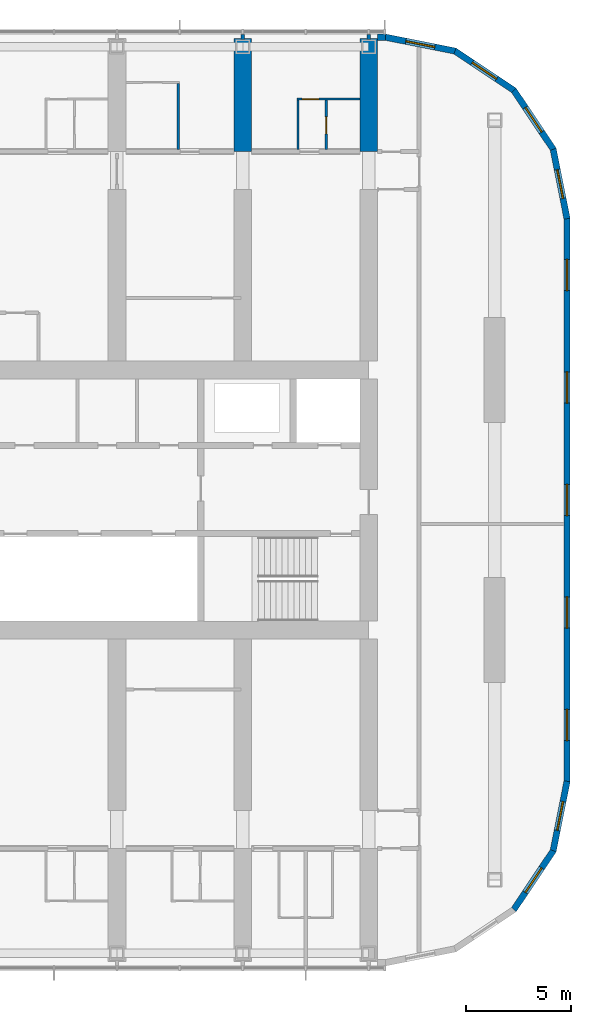
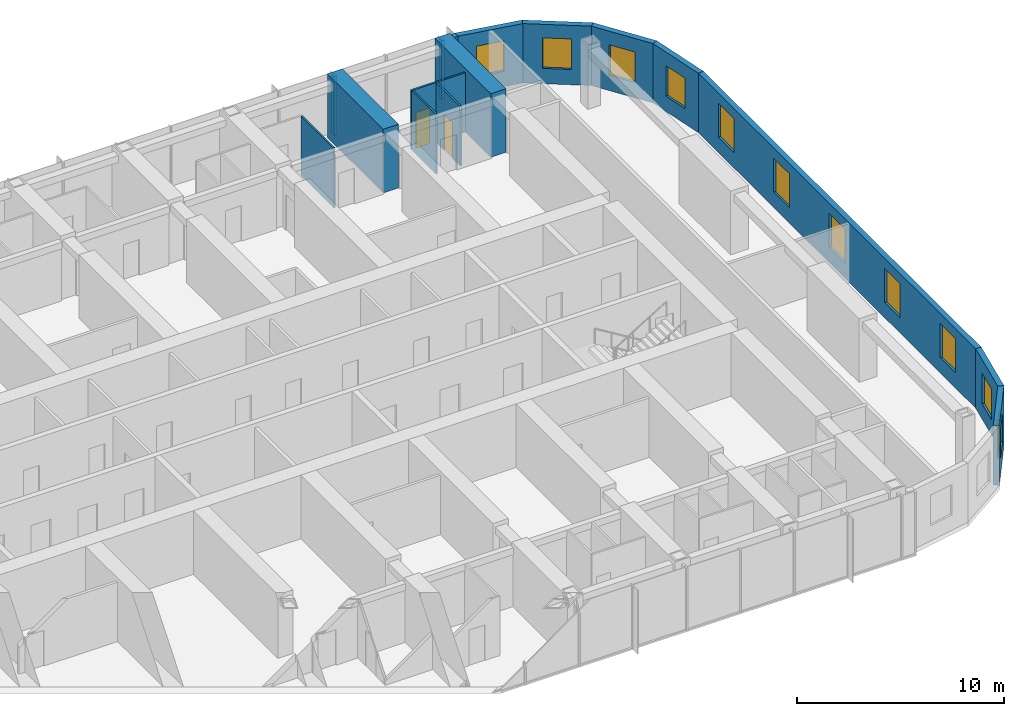
# One storey, part 17 of 22: 16 walls, 11 windows, 2 doors, 13 openings.
"""IFC4 building model written with IfcOpenShell, lengths in metres."""

from ifc_helpers import new_model, si_unit, direction, frame, frame_2d, origin, place, context, subcontext, project, spatial, polyline, rectangle, outline, extrude, material, layer, layer_set, type_object, element, fill, save


model = new_model("IFC4")

# Units and contexts
model_context = context("Model", 3, precision=1e-05, world=origin(), true_north=direction((0.0, 1.0)))
body_context = subcontext(model_context, "Body", "Model", "MODEL_VIEW")
ifc_project = project(units=[si_unit("LENGTHUNIT", "METRE"), si_unit("AREAUNIT", "SQUARE_METRE"), si_unit("VOLUMEUNIT", "CUBIC_METRE"), si_unit("PLANEANGLEUNIT", "RADIAN"), si_unit("MASSUNIT", "GRAM", prefix="KILO")], contexts=[model_context])

# Site, building, storey
site_placement = place(None, origin())
site = spatial("IfcSite", under=ifc_project, at=site_placement, CompositionType="ELEMENT")
building_placement = place(site_placement, origin())
building = spatial("IfcBuilding", under=site, at=building_placement, Name="Orbita Commons", CompositionType="ELEMENT")
storey_placement = place(building_placement, frame((0.0, 0.0, 186.10009765625)))
storey = spatial("IfcBuildingStorey", under=building, at=storey_placement, Name="L46", CompositionType="ELEMENT", Elevation=186.10009765625)

# Walls
ifc_material_1 = material(Name="Concrete C50/60", Category="concrete")
ifc_layer_1 = layer(ifc_material_1, 0.85009765625)
ifc_layer_set_1 = layer_set([ifc_layer_1], Name="Concrete C50/60")
wall_type_1 = type_object("IfcWallType", Name="Cross wall 850 C50/60", PredefinedType="SHEAR", material=ifc_layer_set_1)
for number, where, z_axis, x_axis, name in (
    (1, (60.0, 48.60009765625, 0.0), (0.0, 0.0, 1.0), (0.0, 1.0, 0.0), "Cross wall 11 north outer L46"),
    (2, (66.0, 48.60009765625, 0.0), (0.0, 0.0, 1.0), (0.0, 1.0, 0.0), "Cross wall 12 north outer L46"),
):
    element("IfcWall", number, at=place(storey_placement, frame(where, z_axis=z_axis, x_axis=x_axis)), inside=storey, type_object=wall_type_1, Name=name, PredefinedType="SHEAR", context=body_context, shape_type="SweptSolid", body=[
        extrude(rectangle(XDim=5.39990234375, YDim=0.85009765625, at=frame_2d((2.699951171875, 0.0))), origin(), (0.0, 0.0, 1.0), 3.75),
    ])
ifc_material_2 = material(Name="Moisture-resistant plasterboard on steel studs", Category="steel")
ifc_layer_2 = layer(ifc_material_2, 0.10009765625)
ifc_layer_set_2 = layer_set([ifc_layer_2], Name="Moisture-resistant plasterboard on steel studs")
wall_type_2 = type_object("IfcWallType", Name="En-suite partition 100", PredefinedType="PARTITIONING", material=ifc_layer_set_2)
wall_1_placement = place(storey_placement, frame((56.925048828125, 51.85009765625, 0.0), z_axis=(0.0, 0.0, 1.0), x_axis=(0.0, -1.0, 0.0)))
element("IfcWall", 3, at=wall_1_placement, inside=storey, type_object=wall_type_2, Name="En-suite partition 100 L46", PredefinedType="PARTITIONING", context=body_context, shape_type="SweptSolid", body=[
    extrude(outline(polyline([(0.0, 0.0), (3.150146484375, 0.0), (3.14990234375, 3.099853515625), (3.10205078125, 3.099853515625), (3.10009765625, 3.5), (0.0, 3.5), (0.0, 0.0)])), frame((0.0, 0.050048828125, 0.0), z_axis=(0.0, -1.0, 0.0), x_axis=(1.0, 0.0, 0.0)), (0.0, 0.0, 1.0), 0.10009765625),
])

# Wall, opening, door
wall_2_placement = place(storey_placement, frame((62.574951171875, 51.10009765625, 0.0), z_axis=(0.0, 0.0, 1.0), x_axis=(1.0, 0.0, 0.0)))
wall_2 = element("IfcWall", 4, at=wall_2_placement, inside=storey, type_object=wall_type_2, Name="En-suite partition 100 L46", PredefinedType="PARTITIONING", context=body_context, shape_type="SweptSolid", body=[
    extrude(rectangle(XDim=3.0, YDim=0.10009765625, at=frame_2d((1.5, 0.0))), origin(), (0.0, 0.0, 1.0), 3.5),
])
opening_1_placement = place(wall_2_placement, frame((0.25, 0.0, 0.0)))
opening_1 = element("IfcOpeningElement", 5, at=opening_1_placement, cuts=wall_2, Name="Opening D16", PredefinedType="OPENING", context=body_context, shape_type="SweptSolid", body=[
    extrude(rectangle(XDim=0.800048828125, YDim=2.10009765625, at=frame_2d((0.39990234375, 1.050048828125))), frame((0.0, 0.06005859375, 0.0), z_axis=(0.0, -1.0, 0.0), x_axis=(1.0, 0.0, 0.0)), (0.0, 0.0, 1.0), 0.1201171875),
])
ifc_material_3 = material(Name="Laminated timber door leaf", Category="wood")
door_type = type_object("IfcDoorType", Name="En-suite door 800x2100", OperationType="SINGLE_SWING_RIGHT", PredefinedType="DOOR", material=ifc_material_3)
door_1_placement = place(opening_1_placement, origin())
door_1 = element("IfcDoor", 6, at=door_1_placement, inside=storey, type_object=door_type, Name="Studio flat L46-N14 door", OperationType="SINGLE_SWING_RIGHT", OverallHeight=2.10009765625, OverallWidth=0.800048828125, PredefinedType="DOOR", context=body_context, shape_type="SweptSolid", body=[
    extrude(rectangle(XDim=0.800048828125, YDim=2.10009765625, at=frame_2d((0.39990234375, 1.050048828125))), frame((0.0, 0.02490234375, 0.0), z_axis=(0.0, -1.0, 0.0), x_axis=(1.0, 0.0, 0.0)), (0.0, 0.0, 1.0), 0.050048828125),
])
fill(opening_1, door_1)

# Wall
wall_3_placement = place(storey_placement, frame((62.625, 51.050048828125, 0.0), z_axis=(0.0, 0.0, 1.0), x_axis=(0.0, -1.0, 0.0)))
element("IfcWall", 7, at=wall_3_placement, inside=storey, type_object=wall_type_2, Name="En-suite partition 100 L46", PredefinedType="PARTITIONING", context=body_context, shape_type="SweptSolid", body=[
    extrude(outline(polyline([(0.0, 0.0), (2.35009765625, 0.0), (2.35009765625, 3.099853515625), (2.302001953125, 3.099853515625), (2.300048828125, 3.5), (0.0, 3.5), (0.0, 0.0)])), frame((0.0, 0.050048828125, 0.0), z_axis=(0.0, -1.0, 0.0), x_axis=(1.0, 0.0, 0.0)), (0.0, 0.0, 1.0), 0.10009765625),
])

# Wall, opening, door
wall_4_placement = place(storey_placement, frame((63.97509765625, 51.050048828125, 0.0), z_axis=(0.0, 0.0, 1.0), x_axis=(0.0, -1.0, 0.0)))
wall_4 = element("IfcWall", 8, at=wall_4_placement, inside=storey, type_object=wall_type_2, Name="En-suite partition 100 L46", PredefinedType="PARTITIONING", context=body_context, shape_type="SweptSolid", body=[
    extrude(outline(polyline([(0.0, 0.0), (2.35009765625, 0.0), (2.35009765625, 3.099853515625), (2.302001953125, 3.099853515625), (2.300048828125, 3.5), (0.0, 3.5), (0.0, 0.0)])), frame((0.0, 0.050048828125, 0.0), z_axis=(0.0, -1.0, 0.0), x_axis=(1.0, 0.0, 0.0)), (0.0, 0.0, 1.0), 0.10009765625),
])
opening_2_placement = place(wall_4_placement, frame((0.800048828125, 0.0, 0.0)))
opening_2 = element("IfcOpeningElement", 9, at=opening_2_placement, cuts=wall_4, Name="Opening D16", PredefinedType="OPENING", context=body_context, shape_type="SweptSolid", body=[
    extrude(rectangle(XDim=0.800048828125, YDim=2.10009765625, at=frame_2d((0.39990234375, 1.050048828125))), frame((0.0, 0.06005859375, 0.0), z_axis=(0.0, -1.0, 0.0), x_axis=(1.0, 0.0, 0.0)), (0.0, 0.0, 1.0), 0.1201171875),
])
door_2_placement = place(opening_2_placement, origin())
door_2 = element("IfcDoor", 10, at=door_2_placement, inside=storey, type_object=door_type, Name="Studio flat shower room L46-N14 door", OperationType="SINGLE_SWING_RIGHT", OverallHeight=2.10009765625, OverallWidth=0.800048828125, PredefinedType="DOOR", context=body_context, shape_type="SweptSolid", body=[
    extrude(rectangle(XDim=0.800048828125, YDim=2.10009765625, at=frame_2d((0.39990234375, 1.050048828125))), frame((0.0, 0.02490234375, 0.0), z_axis=(0.0, -1.0, 0.0), x_axis=(1.0, 0.0, 0.0)), (0.0, 0.0, 1.0), 0.050048828125),
])
fill(opening_2, door_2)

# Walls
ifc_material_4 = material(Name="Gypsum plasterboard on steel studs", Category="steel")
ifc_layer_3 = layer(ifc_material_4, 0.14990234375)
ifc_layer_set_3 = layer_set([ifc_layer_3], Name="Gypsum plasterboard on steel studs")
wall_type_3 = type_object("IfcWallType", Name="Partition 150 plasterboard", PredefinedType="PARTITIONING", material=ifc_layer_set_3)
for number, where, z_axis, x_axis, name in (
    (11, (60.0, 53.949951171875, 0.0), (0.0, 0.0, 1.0), (0.0, 1.0, 0.0), "Partition 150 plasterboard L46"),
    (12, (66.0, 53.949951171875, 0.0), (0.0, 0.0, 1.0), (0.0, 1.0, 0.0), "Partition 150 plasterboard L46"),
):
    element("IfcWall", number, at=place(storey_placement, frame(where, z_axis=z_axis, x_axis=x_axis)), inside=storey, type_object=wall_type_3, Name=name, PredefinedType="PARTITIONING", context=body_context, shape_type="SweptSolid", body=[
        extrude(rectangle(XDim=0.239990234375, YDim=0.14990234375, at=frame_2d((0.1201171875, 0.0))), origin(), (0.0, 0.0, 1.0), 3.5),
    ])

# Wall, openings, windows
ifc_material_5 = material(Name="Precast concrete C40/50, white board-marked finish", Category="concrete")
ifc_layer_4 = layer(ifc_material_5, 0.300048828125)
ifc_layer_set_4 = layer_set([ifc_layer_4], Name="Precast concrete C40/50, white board-marked finish")
wall_type_4 = type_object("IfcWallType", Name="Precast concrete end shield 300", PredefinedType="SOLIDWALL", material=ifc_layer_set_4)
wall_5_placement = place(storey_placement, frame((75.449951171875, 18.60009765625, 0.0), z_axis=(0.0, 0.0, 1.0), x_axis=(0.0, 1.0, 0.0)))
wall_5 = element("IfcWall", 13, at=wall_5_placement, inside=storey, type_object=wall_type_4, Name="End shield E L46", PredefinedType="SOLIDWALL", context=body_context, shape_type="SweptSolid", body=[
    extrude(outline(polyline([(-0.014892578125, -0.14990234375), (26.814697265625, -0.14990234375), (26.784912109375, 0.14990234375), (0.014892578125, 0.14990234375), (-0.014892578125, -0.14990234375)])), origin(), (0.0, 0.0, 1.0), 3.5),
])
opening_3_placement = place(wall_5_placement, frame((1.929931640625, 0.0, 0.89990234375)))
opening_3 = element("IfcOpeningElement", 14, at=opening_3_placement, cuts=wall_5, Name="Opening W01", PredefinedType="OPENING", context=body_context, shape_type="SweptSolid", body=[
    extrude(rectangle(XDim=1.5, YDim=2.0, at=frame_2d((0.75, 1.0))), frame((0.0, 0.159912109375, 0.0), z_axis=(0.0, -1.0, 0.0), x_axis=(1.0, 0.0, 0.0)), (0.0, 0.0, 1.0), 0.320068359375),
])
opening_4_placement = place(wall_5_placement, frame((7.2900390625, 0.0, 0.89990234375)))
opening_4 = element("IfcOpeningElement", 15, at=opening_4_placement, cuts=wall_5, Name="Opening W01", PredefinedType="OPENING", context=body_context, shape_type="SweptSolid", body=[
    extrude(rectangle(XDim=1.5, YDim=2.0, at=frame_2d((0.75, 1.0))), frame((0.0, 0.159912109375, 0.0), z_axis=(0.0, -1.0, 0.0), x_axis=(1.0, 0.0, 0.0)), (0.0, 0.0, 1.0), 0.320068359375),
])
opening_5_placement = place(wall_5_placement, frame((12.64990234375, 0.0, 0.89990234375)))
opening_5 = element("IfcOpeningElement", 16, at=opening_5_placement, cuts=wall_5, Name="Opening W01", PredefinedType="OPENING", context=body_context, shape_type="SweptSolid", body=[
    extrude(rectangle(XDim=1.5, YDim=2.0, at=frame_2d((0.75, 1.0))), frame((0.0, 0.159912109375, 0.0), z_axis=(0.0, -1.0, 0.0), x_axis=(1.0, 0.0, 0.0)), (0.0, 0.0, 1.0), 0.320068359375),
])
opening_6_placement = place(wall_5_placement, frame((18.010009765625, 0.0, 0.89990234375)))
opening_6 = element("IfcOpeningElement", 17, at=opening_6_placement, cuts=wall_5, Name="Opening W01", PredefinedType="OPENING", context=body_context, shape_type="SweptSolid", body=[
    extrude(rectangle(XDim=1.5, YDim=2.0, at=frame_2d((0.75, 1.0))), frame((0.0, 0.159912109375, 0.0), z_axis=(0.0, -1.0, 0.0), x_axis=(1.0, 0.0, 0.0)), (0.0, 0.0, 1.0), 0.320068359375),
])
opening_7_placement = place(wall_5_placement, frame((23.3701171875, 0.0, 0.89990234375)))
opening_7 = element("IfcOpeningElement", 18, at=opening_7_placement, cuts=wall_5, Name="Opening W01", PredefinedType="OPENING", context=body_context, shape_type="SweptSolid", body=[
    extrude(rectangle(XDim=1.5, YDim=2.0, at=frame_2d((0.75, 1.0))), frame((0.0, 0.159912109375, 0.0), z_axis=(0.0, -1.0, 0.0), x_axis=(1.0, 0.0, 0.0)), (0.0, 0.0, 1.0), 0.320068359375),
])
ifc_material_6 = material(Name="Aluminium frame, clear double glazing", Category="aluminium")
window_type_1 = type_object("IfcWindowType", Name="Deep-set window 1500x2000", PartitioningType="SINGLE_PANEL", PredefinedType="WINDOW", material=ifc_material_6)
window_1_placement = place(opening_3_placement, origin())
window_1 = element("IfcWindow", 19, at=window_1_placement, inside=storey, type_object=window_type_1, Name="Window L46-E 1", OverallHeight=2.0, OverallWidth=1.5, PartitioningType="SINGLE_PANEL", PredefinedType="WINDOW", context=body_context, shape_type="SweptSolid", body=[
    extrude(rectangle(XDim=1.5, YDim=2.0, at=frame_2d((0.75, 1.0))), frame((0.0, 0.030029296875, 0.0), z_axis=(0.0, -1.0, 0.0), x_axis=(1.0, 0.0, 0.0)), (0.0, 0.0, 1.0), 0.06005859375),
])
fill(opening_3, window_1)
window_2_placement = place(opening_4_placement, origin())
window_2 = element("IfcWindow", 20, at=window_2_placement, inside=storey, type_object=window_type_1, Name="Window L46-E 2", OverallHeight=2.0, OverallWidth=1.5, PartitioningType="SINGLE_PANEL", PredefinedType="WINDOW", context=body_context, shape_type="SweptSolid", body=[
    extrude(rectangle(XDim=1.5, YDim=2.0, at=frame_2d((0.75, 1.0))), frame((0.0, 0.030029296875, 0.0), z_axis=(0.0, -1.0, 0.0), x_axis=(1.0, 0.0, 0.0)), (0.0, 0.0, 1.0), 0.06005859375),
])
fill(opening_4, window_2)
window_3_placement = place(opening_5_placement, origin())
window_3 = element("IfcWindow", 21, at=window_3_placement, inside=storey, type_object=window_type_1, Name="Window L46-E 3", OverallHeight=2.0, OverallWidth=1.5, PartitioningType="SINGLE_PANEL", PredefinedType="WINDOW", context=body_context, shape_type="SweptSolid", body=[
    extrude(rectangle(XDim=1.5, YDim=2.0, at=frame_2d((0.75, 1.0))), frame((0.0, 0.030029296875, 0.0), z_axis=(0.0, -1.0, 0.0), x_axis=(1.0, 0.0, 0.0)), (0.0, 0.0, 1.0), 0.06005859375),
])
fill(opening_5, window_3)
window_4_placement = place(opening_6_placement, origin())
window_4 = element("IfcWindow", 22, at=window_4_placement, inside=storey, type_object=window_type_1, Name="Window L46-E 4", OverallHeight=2.0, OverallWidth=1.5, PartitioningType="SINGLE_PANEL", PredefinedType="WINDOW", context=body_context, shape_type="SweptSolid", body=[
    extrude(rectangle(XDim=1.5, YDim=2.0, at=frame_2d((0.75, 1.0))), frame((0.0, 0.030029296875, 0.0), z_axis=(0.0, -1.0, 0.0), x_axis=(1.0, 0.0, 0.0)), (0.0, 0.0, 1.0), 0.06005859375),
])
fill(opening_6, window_4)
window_5_placement = place(opening_7_placement, origin())
window_5 = element("IfcWindow", 23, at=window_5_placement, inside=storey, type_object=window_type_1, Name="Window L46-E 5", OverallHeight=2.0, OverallWidth=1.5, PartitioningType="SINGLE_PANEL", PredefinedType="WINDOW", context=body_context, shape_type="SweptSolid", body=[
    extrude(rectangle(XDim=1.5, YDim=2.0, at=frame_2d((0.75, 1.0))), frame((0.0, 0.030029296875, 0.0), z_axis=(0.0, -1.0, 0.0), x_axis=(1.0, 0.0, 0.0)), (0.0, 0.0, 1.0), 0.06005859375),
])
fill(opening_7, window_5)

# Wall, opening, window
wall_6_placement = place(storey_placement, frame((72.91650390625, 12.4833984375, 0.0), z_axis=(0.0, 0.0, 1.0), x_axis=(0.555534554399, 0.831493450887, 0.0)))
wall_6 = element("IfcWall", 24, at=wall_6_placement, inside=storey, type_object=wall_type_4, Name="End shield SE chord 3 L46", PredefinedType="SOLIDWALL", context=body_context, shape_type="SweptSolid", body=[
    extrude(outline(polyline([(-0.02978515625, -0.14990234375), (3.405029296875, -0.14990234375), (3.345458984375, 0.14990234375), (0.02978515625, 0.14990234375), (-0.02978515625, -0.14990234375)])), origin(), (0.0, 0.0, 1.0), 3.5),
])
opening_8_placement = place(wall_6_placement, frame((0.987548828125, 0.0, 0.89990234375)))
opening_8 = element("IfcOpeningElement", 25, at=opening_8_placement, cuts=wall_6, Name="Opening W02", PredefinedType="OPENING", context=body_context, shape_type="SweptSolid", body=[
    extrude(rectangle(XDim=1.39990234375, YDim=1.800048828125, at=frame_2d((0.699951171875, 0.89990234375))), frame((0.0, 0.159912109375, 0.0), z_axis=(0.0, -1.0, 0.0), x_axis=(1.0, 0.0, 0.0)), (0.0, 0.0, 1.0), 0.320068359375),
])
ifc_material_7 = material(Name="Aluminium frame, clear double glazing", Category="aluminium")
window_type_2 = type_object("IfcWindowType", Name="Deep-set window 1400x1800", PartitioningType="SINGLE_PANEL", PredefinedType="WINDOW", material=ifc_material_7)
window_6_placement = place(opening_8_placement, origin())
window_6 = element("IfcWindow", 26, at=window_6_placement, inside=storey, type_object=window_type_2, Name="Window L46-SE2", OverallHeight=1.800048828125, OverallWidth=1.39990234375, PartitioningType="SINGLE_PANEL", PredefinedType="WINDOW", context=body_context, shape_type="SweptSolid", body=[
    extrude(rectangle(XDim=1.39990234375, YDim=1.800048828125, at=frame_2d((0.699951171875, 0.89990234375))), frame((0.0, 0.030029296875, 0.0), z_axis=(0.0, -1.0, 0.0), x_axis=(1.0, 0.0, 0.0)), (0.0, 0.0, 1.0), 0.06005859375),
])
fill(opening_8, window_6)

wall_7_placement = place(storey_placement, frame((74.79150390625, 15.289794921875, 0.0), z_axis=(0.0, 0.0, 1.0), x_axis=(0.19508664885, 0.980786011034, 0.0)))
wall_7 = element("IfcWall", 27, at=wall_7_placement, inside=storey, type_object=wall_type_4, Name="End shield SE chord 4 L46", PredefinedType="SOLIDWALL", context=body_context, shape_type="SweptSolid", body=[
    extrude(outline(polyline([(-0.02978515625, -0.14990234375), (3.39013671875, -0.14990234375), (3.3603515625, 0.14990234375), (0.02978515625, 0.14990234375), (-0.02978515625, -0.14990234375)])), origin(), (0.0, 0.0, 1.0), 3.5),
])
opening_9_placement = place(wall_7_placement, frame((0.987548828125, 0.0, 0.89990234375)))
opening_9 = element("IfcOpeningElement", 28, at=opening_9_placement, cuts=wall_7, Name="Opening W02", PredefinedType="OPENING", context=body_context, shape_type="SweptSolid", body=[
    extrude(rectangle(XDim=1.39990234375, YDim=1.800048828125, at=frame_2d((0.699951171875, 0.89990234375))), frame((0.0, 0.159912109375, 0.0), z_axis=(0.0, -1.0, 0.0), x_axis=(1.0, 0.0, 0.0)), (0.0, 0.0, 1.0), 0.320068359375),
])
window_7_placement = place(opening_9_placement, origin())
window_7 = element("IfcWindow", 29, at=window_7_placement, inside=storey, type_object=window_type_2, Name="Window L46-SE3", OverallHeight=1.800048828125, OverallWidth=1.39990234375, PartitioningType="SINGLE_PANEL", PredefinedType="WINDOW", context=body_context, shape_type="SweptSolid", body=[
    extrude(rectangle(XDim=1.39990234375, YDim=1.800048828125, at=frame_2d((0.699951171875, 0.89990234375))), frame((0.0, 0.030029296875, 0.0), z_axis=(0.0, -1.0, 0.0), x_axis=(1.0, 0.0, 0.0)), (0.0, 0.0, 1.0), 0.06005859375),
])
fill(opening_9, window_7)

wall_8_placement = place(storey_placement, frame((75.449951171875, 45.39990234375, 0.0), z_axis=(0.0, 0.0, 1.0), x_axis=(-0.19508664885, 0.980786011034, 0.0)))
wall_8 = element("IfcWall", 30, at=wall_8_placement, inside=storey, type_object=wall_type_4, Name="End shield NE chord 1 L46", PredefinedType="SOLIDWALL", context=body_context, shape_type="SweptSolid", body=[
    extrude(outline(polyline([(-0.014892578125, -0.14990234375), (3.405029296875, -0.14990234375), (3.345458984375, 0.14990234375), (0.014892578125, 0.14990234375), (-0.014892578125, -0.14990234375)])), origin(), (0.0, 0.0, 1.0), 3.5),
])
opening_10_placement = place(wall_8_placement, frame((0.987548828125, 0.0, 0.89990234375)))
opening_10 = element("IfcOpeningElement", 31, at=opening_10_placement, cuts=wall_8, Name="Opening W02", PredefinedType="OPENING", context=body_context, shape_type="SweptSolid", body=[
    extrude(rectangle(XDim=1.39990234375, YDim=1.800048828125, at=frame_2d((0.699951171875, 0.89990234375))), frame((0.0, 0.159912109375, 0.0), z_axis=(0.0, -1.0, 0.0), x_axis=(1.0, 0.0, 0.0)), (0.0, 0.0, 1.0), 0.320068359375),
])
window_8_placement = place(opening_10_placement, origin())
window_8 = element("IfcWindow", 32, at=window_8_placement, inside=storey, type_object=window_type_2, Name="Window L46-NE0", OverallHeight=1.800048828125, OverallWidth=1.39990234375, PartitioningType="SINGLE_PANEL", PredefinedType="WINDOW", context=body_context, shape_type="SweptSolid", body=[
    extrude(rectangle(XDim=1.39990234375, YDim=1.800048828125, at=frame_2d((0.699951171875, 0.89990234375))), frame((0.0, 0.030029296875, 0.0), z_axis=(0.0, -1.0, 0.0), x_axis=(1.0, 0.0, 0.0)), (0.0, 0.0, 1.0), 0.06005859375),
])
fill(opening_10, window_8)

wall_9_placement = place(storey_placement, frame((74.79150390625, 48.710205078125, 0.0), z_axis=(0.0, 0.0, 1.0), x_axis=(-0.555534554399, 0.831493450887, 0.0)))
wall_9 = element("IfcWall", 33, at=wall_9_placement, inside=storey, type_object=wall_type_4, Name="End shield NE chord 2 L46", PredefinedType="SOLIDWALL", context=body_context, shape_type="SweptSolid", body=[
    extrude(outline(polyline([(-0.02978515625, -0.14990234375), (3.405029296875, -0.14990234375), (3.345458984375, 0.14990234375), (0.02978515625, 0.14990234375), (-0.02978515625, -0.14990234375)])), origin(), (0.0, 0.0, 1.0), 3.5),
])
opening_11_placement = place(wall_9_placement, frame((0.987548828125, 0.0, 0.89990234375)))
opening_11 = element("IfcOpeningElement", 34, at=opening_11_placement, cuts=wall_9, Name="Opening W02", PredefinedType="OPENING", context=body_context, shape_type="SweptSolid", body=[
    extrude(rectangle(XDim=1.39990234375, YDim=1.800048828125, at=frame_2d((0.699951171875, 0.89990234375))), frame((0.0, 0.159912109375, 0.0), z_axis=(0.0, -1.0, 0.0), x_axis=(1.0, 0.0, 0.0)), (0.0, 0.0, 1.0), 0.320068359375),
])
window_9_placement = place(opening_11_placement, origin())
window_9 = element("IfcWindow", 35, at=window_9_placement, inside=storey, type_object=window_type_2, Name="Window L46-NE1", OverallHeight=1.800048828125, OverallWidth=1.39990234375, PartitioningType="SINGLE_PANEL", PredefinedType="WINDOW", context=body_context, shape_type="SweptSolid", body=[
    extrude(rectangle(XDim=1.39990234375, YDim=1.800048828125, at=frame_2d((0.699951171875, 0.89990234375))), frame((0.0, 0.030029296875, 0.0), z_axis=(0.0, -1.0, 0.0), x_axis=(1.0, 0.0, 0.0)), (0.0, 0.0, 1.0), 0.06005859375),
])
fill(opening_11, window_9)

wall_10_placement = place(storey_placement, frame((72.91650390625, 51.5166015625, 0.0), z_axis=(0.0, 0.0, 1.0), x_axis=(-0.831493450887, 0.555534554399, 0.0)))
wall_10 = element("IfcWall", 36, at=wall_10_placement, inside=storey, type_object=wall_type_4, Name="End shield NE chord 3 L46", PredefinedType="SOLIDWALL", context=body_context, shape_type="SweptSolid", body=[
    extrude(outline(polyline([(-0.02978515625, -0.14990234375), (3.405029296875, -0.14990234375), (3.345458984375, 0.14990234375), (0.02978515625, 0.14990234375), (-0.02978515625, -0.14990234375)])), origin(), (0.0, 0.0, 1.0), 3.5),
])
opening_12_placement = place(wall_10_placement, frame((0.987548828125, 0.0, 0.89990234375)))
opening_12 = element("IfcOpeningElement", 37, at=opening_12_placement, cuts=wall_10, Name="Opening W02", PredefinedType="OPENING", context=body_context, shape_type="SweptSolid", body=[
    extrude(rectangle(XDim=1.39990234375, YDim=1.800048828125, at=frame_2d((0.699951171875, 0.89990234375))), frame((0.0, 0.159912109375, 0.0), z_axis=(0.0, -1.0, 0.0), x_axis=(1.0, 0.0, 0.0)), (0.0, 0.0, 1.0), 0.320068359375),
])
window_10_placement = place(opening_12_placement, origin())
window_10 = element("IfcWindow", 38, at=window_10_placement, inside=storey, type_object=window_type_2, Name="Window L46-NE2", OverallHeight=1.800048828125, OverallWidth=1.39990234375, PartitioningType="SINGLE_PANEL", PredefinedType="WINDOW", context=body_context, shape_type="SweptSolid", body=[
    extrude(rectangle(XDim=1.39990234375, YDim=1.800048828125, at=frame_2d((0.699951171875, 0.89990234375))), frame((0.0, 0.030029296875, 0.0), z_axis=(0.0, -1.0, 0.0), x_axis=(1.0, 0.0, 0.0)), (0.0, 0.0, 1.0), 0.06005859375),
])
fill(opening_12, window_10)

wall_11_placement = place(storey_placement, frame((70.110107421875, 53.3916015625, 0.0), z_axis=(0.0, 0.0, 1.0), x_axis=(-0.98078325777, 0.195100490205, 0.0)))
wall_11 = element("IfcWall", 39, at=wall_11_placement, inside=storey, type_object=wall_type_4, Name="End shield NE chord 4 L46", PredefinedType="SOLIDWALL", context=body_context, shape_type="SweptSolid", body=[
    extrude(outline(polyline([(-0.02978515625, -0.14990234375), (3.40478515625, -0.14990234375), (3.34521484375, 0.14990234375), (0.02978515625, 0.14990234375), (-0.02978515625, -0.14990234375)])), origin(), (0.0, 0.0, 1.0), 3.5),
])
opening_13_placement = place(wall_11_placement, frame((0.987548828125, 0.0, 0.89990234375)))
opening_13 = element("IfcOpeningElement", 40, at=opening_13_placement, cuts=wall_11, Name="Opening W02", PredefinedType="OPENING", context=body_context, shape_type="SweptSolid", body=[
    extrude(rectangle(XDim=1.39990234375, YDim=1.800048828125, at=frame_2d((0.699951171875, 0.89990234375))), frame((0.0, 0.159912109375, 0.0), z_axis=(0.0, -1.0, 0.0), x_axis=(1.0, 0.0, 0.0)), (0.0, 0.0, 1.0), 0.320068359375),
])
window_11_placement = place(opening_13_placement, origin())
window_11 = element("IfcWindow", 41, at=window_11_placement, inside=storey, type_object=window_type_2, Name="Window L46-NE3", OverallHeight=1.800048828125, OverallWidth=1.39990234375, PartitioningType="SINGLE_PANEL", PredefinedType="WINDOW", context=body_context, shape_type="SweptSolid", body=[
    extrude(rectangle(XDim=1.39990234375, YDim=1.800048828125, at=frame_2d((0.699951171875, 0.89990234375))), frame((0.0, 0.030029296875, 0.0), z_axis=(0.0, -1.0, 0.0), x_axis=(1.0, 0.0, 0.0)), (0.0, 0.0, 1.0), 0.06005859375),
])
fill(opening_13, window_11)

# Wall
wall_12_placement = place(storey_placement, frame((66.800048828125, 54.050048828125, 0.0), z_axis=(0.0, 0.0, 1.0), x_axis=(-1.0, 0.0, 0.0)))
element("IfcWall", 42, at=wall_12_placement, inside=storey, type_object=wall_type_4, Name="End shield NE closer L46", PredefinedType="SOLIDWALL", context=body_context, shape_type="SweptSolid", body=[
    extrude(rectangle(XDim=0.375, YDim=0.300048828125, at=frame_2d((0.1875, 0.0))), origin(), (0.0, 0.0, 1.0), 3.5),
])

save(model, "model.ifc")
